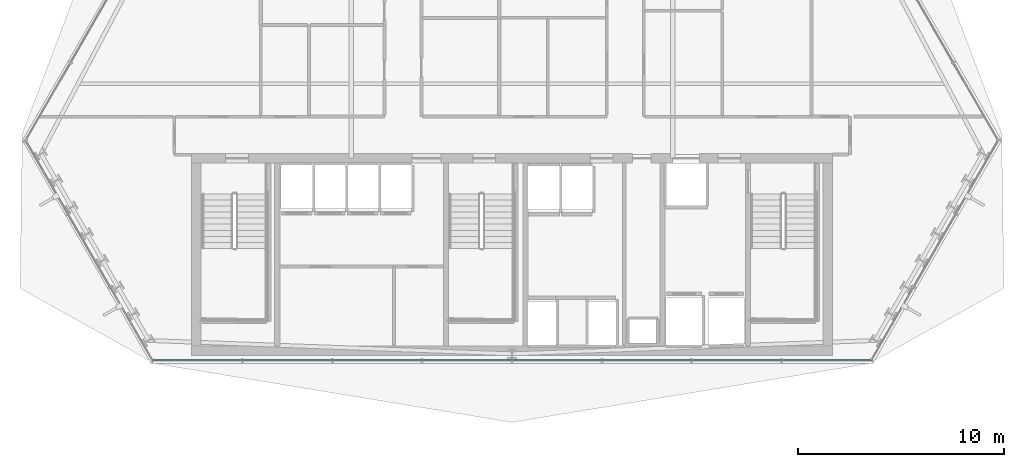
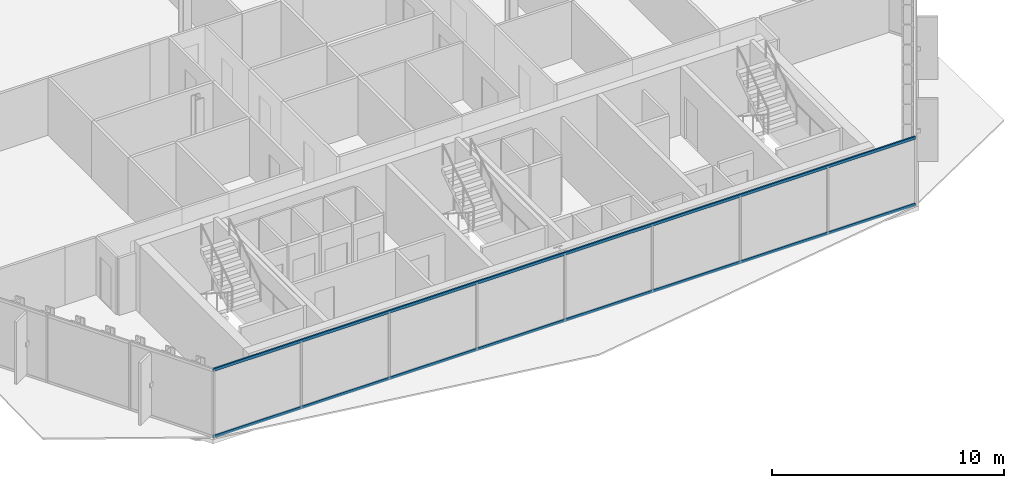
# One storey, part 8 of 36: 2 members, 1 element without a shape of its own.
"""IFC4 building model written with IfcOpenShell, lengths in metres."""

from ifc_helpers import new_model, si_unit, direction, frame, origin, origin_2d, place, context, subcontext, project, spatial, hollow_rectangle, extrude, material, layer, layer_set, material_profile, profile_set, type_object, element, aggregate, save


model = new_model("IFC4")

# Units and contexts
model_context = context("Model", 3, precision=1e-05, world=origin(), true_north=direction((0.0, 1.0)))
body_context = subcontext(model_context, "Body", "Model", "MODEL_VIEW")
ifc_project = project(units=[si_unit("LENGTHUNIT", "METRE"), si_unit("AREAUNIT", "SQUARE_METRE"), si_unit("VOLUMEUNIT", "CUBIC_METRE"), si_unit("PLANEANGLEUNIT", "RADIAN"), si_unit("MASSUNIT", "GRAM", prefix="KILO")], contexts=[model_context])

# Site, building, storey
site_placement = place(None, origin())
site = spatial("IfcSite", under=ifc_project, at=site_placement, CompositionType="ELEMENT")
building_placement = place(site_placement, origin())
building = spatial("IfcBuilding", under=site, at=building_placement, Name="Ndaravel Arena Tower", CompositionType="ELEMENT")
storey_placement = place(building_placement, frame((0.0, 0.0, 127.0)))
storey = spatial("IfcBuildingStorey", under=building, at=storey_placement, Name="L29", CompositionType="ELEMENT", Elevation=127.0)

# Curtain wall, members
ifc_material_1 = material(Name="Aluminium", Category="aluminium")
ifc_layer = layer(ifc_material_1, 0.179931640625)
ifc_layer_set = layer_set([ifc_layer], Name="Aluminium")
curtain_wall_type = type_object("IfcCurtainWallType", Name="CW-SYS-03", PredefinedType="NOTDEFINED", material=ifc_layer_set)
curtain_wall_placement = place(storey_placement, origin())
curtain_wall = element("IfcCurtainWall", 1, at=curtain_wall_placement, inside=storey, type_object=curtain_wall_type, Name="L29 Faceted Crystal Curtain Wall CW-L29-E01", PredefinedType="NOTDEFINED")
ifc_material_2 = material(Name="Aluminium", Category="aluminium")
ifc_material_profile = material_profile(ifc_material_2, hollow_rectangle(XDim=0.074951171875, YDim=0.14990234375, WallThickness=0.00390625, at=origin_2d()), Name="CW TRANSOM 75x150x4")
ifc_profile_set = profile_set([ifc_material_profile], Name="Aluminium")
member_type = type_object("IfcMemberType", Name="MEM-CW-TRN150", PredefinedType="USERDEFINED", material=ifc_profile_set)
member_1_placement = place(storey_placement, frame((24.555419921875, 5.159912109375, 0.0400390625), z_axis=(1.0, 0.0, 0.0), x_axis=(0.0, 1.0, 0.0)))
member_1 = element("IfcMember", 2, at=member_1_placement, type_object=member_type, Name="CW-L29-E01 Transom 01", ObjectType="TRANSOM", PredefinedType="USERDEFINED", context=body_context, shape_type="SweptSolid", body=[
    extrude(hollow_rectangle(XDim=0.074951171875, YDim=0.14990234375, WallThickness=0.00390625, at=origin_2d()), origin(), (0.0, 0.0, 1.0), 34.88916015625),
])
member_2_placement = place(storey_placement, frame((24.555419921875, 5.159912109375, 3.5400390625), z_axis=(1.0, 0.0, 0.0), x_axis=(0.0, 1.0, 0.0)))
member_2 = element("IfcMember", 3, at=member_2_placement, type_object=member_type, Name="CW-L29-E01 Transom 02", ObjectType="TRANSOM", PredefinedType="USERDEFINED", context=body_context, shape_type="SweptSolid", body=[
    extrude(hollow_rectangle(XDim=0.074951171875, YDim=0.14990234375, WallThickness=0.00390625, at=origin_2d()), origin(), (0.0, 0.0, 1.0), 34.88916015625),
])
aggregate(curtain_wall, [member_1, member_2])

save(model, "model.ifc")
